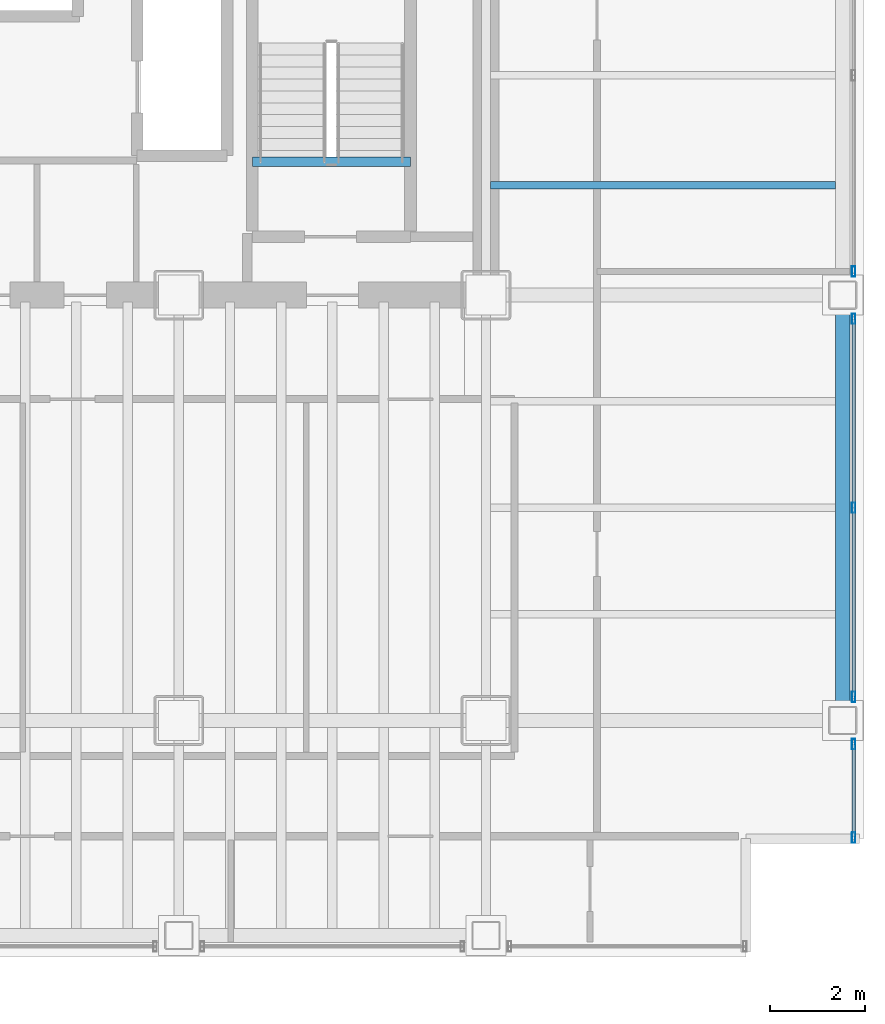
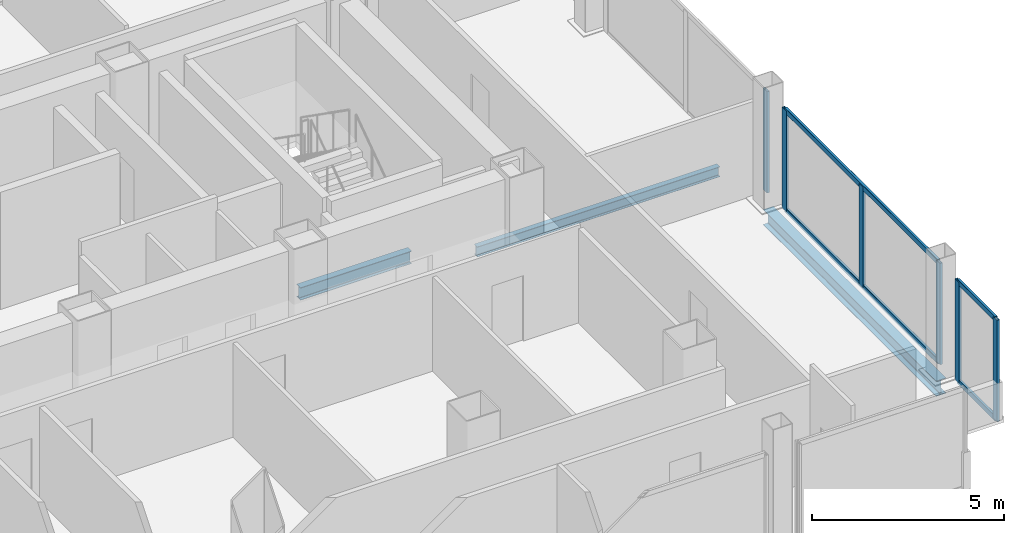
# One storey, part 11 of 21: 10 members, 3 beams, 3 elements without a shape of their own.
"""IFC4 building model written with IfcOpenShell, lengths in metres."""

from ifc_helpers import new_model, si_unit, direction, frame, origin, origin_2d, place, context, subcontext, project, spatial, hollow_rectangle, i_section, extrude, material, material_profile, profile_set, type_object, element, aggregate, save


model = new_model("IFC4")

# Units and contexts
model_context = context("Model", 3, precision=1e-05, world=origin(), true_north=direction((0.0, 1.0)))
body_context = subcontext(model_context, "Body", "Model", "MODEL_VIEW")
ifc_project = project(units=[si_unit("LENGTHUNIT", "METRE"), si_unit("AREAUNIT", "SQUARE_METRE"), si_unit("VOLUMEUNIT", "CUBIC_METRE"), si_unit("PLANEANGLEUNIT", "RADIAN"), si_unit("MASSUNIT", "GRAM", prefix="KILO")], contexts=[model_context])

# Site, building, storey
site_placement = place(None, origin())
site = spatial("IfcSite", under=ifc_project, at=site_placement, CompositionType="ELEMENT")
building_placement = place(site_placement, origin())
building = spatial("IfcBuilding", under=site, at=building_placement, Name="Noeulbin Bourse Tower", CompositionType="ELEMENT")
storey_placement = place(building_placement, frame((0.0, 0.0, 34.300048828125)))
storey = spatial("IfcBuildingStorey", under=building, at=storey_placement, Name="L08", CompositionType="ELEMENT", Elevation=34.300048828125)

# Beams
ifc_material_1 = material(Name="Steel S355", Category="steel")
ifc_material_profile_1 = material_profile(ifc_material_1, i_section(OverallWidth=0.159912109375, OverallDepth=0.320068359375, WebThickness=0.006591796875, FlangeThickness=0.010009765625, FilletRadius=0.012939453125, at=origin_2d()), Name="H-320x160x6.5x10", Category="LoadBearing")
ifc_profile_set_1 = profile_set([ifc_material_profile_1], Name="Steel S355")
beam_type_1 = type_object("IfcBeamType", Name="BM-JST-320", PredefinedType="JOIST", material=ifc_profile_set_1)
beam_1_placement = place(storey_placement, frame((44.10009765625, 31.324951171875, -0.340087890625), z_axis=(1.0, 0.0, 0.0), x_axis=(0.0, 1.0, 0.0)))
element("IfcBeam", 1, at=beam_1_placement, inside=storey, type_object=beam_type_1, Name="Wing Composite Joist L08-E78", PredefinedType="JOIST", context=body_context, shape_type="SweptSolid", body=[
    extrude(i_section(OverallWidth=0.159912109375, OverallDepth=0.320068359375, WebThickness=0.006591796875, FlangeThickness=0.010009765625, FilletRadius=0.012939453125, at=origin_2d()), origin(), (0.0, 0.0, 1.0), 7.2998046875),
])
ifc_material_profile_2 = material_profile(ifc_material_1, i_section(OverallWidth=0.199951171875, OverallDepth=0.39990234375, WebThickness=0.008056640625, FlangeThickness=0.012939453125, FilletRadius=0.01611328125, at=origin_2d()), Name="H-400x200x8x13", Category="LoadBearing")
ifc_profile_set_2 = profile_set([ifc_material_profile_2], Name="Steel S355")
beam_type_2 = type_object("IfcBeamType", Name="BM-SEC-400", PredefinedType="BEAM", material=ifc_profile_set_2)
beam_2_placement = place(storey_placement, frame((39.06005859375, 31.820068359375, -0.199951171875), z_axis=(1.0, 0.0, 0.0), x_axis=(0.0, 1.0, 0.0)))
element("IfcBeam", 2, at=beam_2_placement, inside=storey, type_object=beam_type_2, Name="Stair Threshold Trimmer Beam ST2-L08", PredefinedType="BEAM", context=body_context, shape_type="SweptSolid", body=[
    extrude(i_section(OverallWidth=0.199951171875, OverallDepth=0.39990234375, WebThickness=0.008056640625, FlangeThickness=0.012939453125, FilletRadius=0.01611328125, at=origin_2d()), origin(), (0.0, 0.0, 1.0), 3.33984375),
])
ifc_material_profile_3 = material_profile(ifc_material_1, i_section(OverallWidth=0.300048828125, OverallDepth=0.488037109375, WebThickness=0.010986328125, FlangeThickness=0.01806640625, FilletRadius=0.02197265625, at=origin_2d()), Name="H-488x300x11x18", Category="LoadBearing")
ifc_profile_set_3 = profile_set([ifc_material_profile_3], Name="Steel S355")
beam_type_3 = type_object("IfcBeamType", Name="BM-SPN-488", PredefinedType="SPANDREL", material=ifc_profile_set_3)
beam_3_placement = place(storey_placement, frame((51.550048828125, 20.0, -0.424072265625), z_axis=(0.0, 1.0, 0.0), x_axis=(-1.0, 0.0, 0.0)))
element("IfcBeam", 3, at=beam_3_placement, inside=storey, type_object=beam_type_3, Name="East Spandrel L08-1", PredefinedType="SPANDREL", context=body_context, shape_type="SweptSolid", body=[
    extrude(i_section(OverallWidth=0.300048828125, OverallDepth=0.488037109375, WebThickness=0.010986328125, FlangeThickness=0.01806640625, FilletRadius=0.02197265625, at=origin_2d()), origin(), (0.0, 0.0, 1.0), 9.0),
])

# Curtain wall, members
ifc_material_2 = material(Name="Dark Solar-Control Double Glazing", Category="glass")
curtain_wall_type = type_object("IfcCurtainWallType", Name="CW-SYS-2", PredefinedType="NOTDEFINED", material=ifc_material_2)
curtain_wall_1_placement = place(storey_placement, origin())
curtain_wall_1 = element("IfcCurtainWall", 4, at=curtain_wall_1_placement, inside=storey, type_object=curtain_wall_type, Name="Unitised Curtain Wall CW-L08-E-S1", PredefinedType="NOTDEFINED")
ifc_material_3 = material(Name="Anodised Aluminium 6063-T6", Category="aluminium")
ifc_material_profile_4 = material_profile(ifc_material_3, hollow_rectangle(XDim=0.074951171875, YDim=0.219970703125, WallThickness=0.0048828125, InnerFilletRadius=0.00244140625, OuterFilletRadius=0.0048828125, at=origin_2d()), Name="ALU-MULL-75x220x5", Category="LoadBearing")
ifc_profile_set_4 = profile_set([ifc_material_profile_4], Name="Anodised Aluminium 6063-T6")
member_type_1 = type_object("IfcMemberType", Name="CW-SYS-2-MUL", PredefinedType="MULLION", material=ifc_profile_set_4)
member_1_placement = place(storey_placement, frame((51.780029296875, 17.52001953125, -0.02001953125), z_axis=(0.0, 0.0, 1.0), x_axis=(1.0, 0.0, 0.0)))
member_1 = element("IfcMember", 5, at=member_1_placement, type_object=member_type_1, Name="Curtain Wall Mullion CW-L08-E-S1-M00", PredefinedType="MULLION", context=body_context, shape_type="SweptSolid", body=[
    extrude(hollow_rectangle(XDim=0.074951171875, YDim=0.219970703125, WallThickness=0.0048828125, InnerFilletRadius=0.00244140625, OuterFilletRadius=0.0048828125, at=origin_2d()), origin(), (0.0, 0.0, 1.0), 3.219970703125),
])
member_2_placement = place(storey_placement, frame((51.780029296875, 19.5, -0.02001953125), z_axis=(0.0, 0.0, 1.0), x_axis=(1.0, 0.0, 0.0)))
member_2 = element("IfcMember", 6, at=member_2_placement, type_object=member_type_1, Name="Curtain Wall Mullion CW-L08-E-S1-M01", PredefinedType="MULLION", context=body_context, shape_type="SweptSolid", body=[
    extrude(hollow_rectangle(XDim=0.074951171875, YDim=0.219970703125, WallThickness=0.0048828125, InnerFilletRadius=0.00244140625, OuterFilletRadius=0.0048828125, at=origin_2d()), origin(), (0.0, 0.0, 1.0), 3.219970703125),
])

curtain_wall_2_placement = place(storey_placement, origin())
curtain_wall_2 = element("IfcCurtainWall", 7, at=curtain_wall_2_placement, inside=storey, type_object=curtain_wall_type, Name="Unitised Curtain Wall CW-L08-E-S2", PredefinedType="NOTDEFINED")
member_3_placement = place(storey_placement, frame((51.780029296875, 20.5, -0.02001953125), z_axis=(0.0, 0.0, 1.0), x_axis=(1.0, 0.0, 0.0)))
member_3 = element("IfcMember", 8, at=member_3_placement, type_object=member_type_1, Name="Curtain Wall Mullion CW-L08-E-S2-M00", PredefinedType="MULLION", context=body_context, shape_type="SweptSolid", body=[
    extrude(hollow_rectangle(XDim=0.074951171875, YDim=0.219970703125, WallThickness=0.0048828125, InnerFilletRadius=0.00244140625, OuterFilletRadius=0.0048828125, at=origin_2d()), origin(), (0.0, 0.0, 1.0), 3.219970703125),
])
member_4_placement = place(storey_placement, frame((51.780029296875, 24.5, -0.02001953125), z_axis=(0.0, 0.0, 1.0), x_axis=(1.0, 0.0, 0.0)))
member_4 = element("IfcMember", 9, at=member_4_placement, type_object=member_type_1, Name="Curtain Wall Mullion CW-L08-E-S2-M01", PredefinedType="MULLION", context=body_context, shape_type="SweptSolid", body=[
    extrude(hollow_rectangle(XDim=0.074951171875, YDim=0.219970703125, WallThickness=0.0048828125, InnerFilletRadius=0.00244140625, OuterFilletRadius=0.0048828125, at=origin_2d()), origin(), (0.0, 0.0, 1.0), 3.219970703125),
])
member_5_placement = place(storey_placement, frame((51.780029296875, 28.5, -0.02001953125), z_axis=(0.0, 0.0, 1.0), x_axis=(1.0, 0.0, 0.0)))
member_5 = element("IfcMember", 10, at=member_5_placement, type_object=member_type_1, Name="Curtain Wall Mullion CW-L08-E-S2-M02", PredefinedType="MULLION", context=body_context, shape_type="SweptSolid", body=[
    extrude(hollow_rectangle(XDim=0.074951171875, YDim=0.219970703125, WallThickness=0.0048828125, InnerFilletRadius=0.00244140625, OuterFilletRadius=0.0048828125, at=origin_2d()), origin(), (0.0, 0.0, 1.0), 3.219970703125),
])

# Curtain wall, member
curtain_wall_3_placement = place(storey_placement, origin())
curtain_wall_3 = element("IfcCurtainWall", 11, at=curtain_wall_3_placement, inside=storey, type_object=curtain_wall_type, Name="Unitised Curtain Wall CW-L08-E-S3", PredefinedType="NOTDEFINED")
member_6_placement = place(storey_placement, frame((51.780029296875, 29.5, -0.02001953125), z_axis=(0.0, 0.0, 1.0), x_axis=(1.0, 0.0, 0.0)))
member_6 = element("IfcMember", 12, at=member_6_placement, type_object=member_type_1, Name="Curtain Wall Mullion CW-L08-E-S3-M00", PredefinedType="MULLION", context=body_context, shape_type="SweptSolid", body=[
    extrude(hollow_rectangle(XDim=0.074951171875, YDim=0.219970703125, WallThickness=0.0048828125, InnerFilletRadius=0.00244140625, OuterFilletRadius=0.0048828125, at=origin_2d()), origin(), (0.0, 0.0, 1.0), 3.219970703125),
])
aggregate(curtain_wall_3, [member_6])

# Member
ifc_material_profile_5 = material_profile(ifc_material_3, hollow_rectangle(XDim=0.074951171875, YDim=0.159912109375, WallThickness=0.0048828125, InnerFilletRadius=0.00244140625, OuterFilletRadius=0.0048828125, at=origin_2d()), Name="ALU-TRAN-75x160x5", Category="LoadBearing")
ifc_profile_set_5 = profile_set([ifc_material_profile_5], Name="Anodised Aluminium 6063-T6")
member_type_2 = type_object("IfcMemberType", Name="CW-SYS-2-TRN", PredefinedType="USERDEFINED", material=ifc_profile_set_5)
member_7_placement = place(storey_placement, frame((51.780029296875, 17.530029296875, 0.010009765625), z_axis=(0.0, 1.0, 0.0), x_axis=(-1.0, 0.0, 0.0)))
member_7 = element("IfcMember", 13, at=member_7_placement, type_object=member_type_2, Name="Curtain Wall Transom CW-L08-E-S1-T00", ObjectType="TRANSOM", PredefinedType="USERDEFINED", context=body_context, shape_type="SweptSolid", body=[
    extrude(hollow_rectangle(XDim=0.074951171875, YDim=0.159912109375, WallThickness=0.0048828125, InnerFilletRadius=0.00244140625, OuterFilletRadius=0.0048828125, at=origin_2d()), origin(), (0.0, 0.0, 1.0), 1.9599609375),
])

member_8_placement = place(storey_placement, frame((51.780029296875, 17.530029296875, 3.169921875), z_axis=(0.0, 1.0, 0.0), x_axis=(-1.0, 0.0, 0.0)))
member_8 = element("IfcMember", 14, at=member_8_placement, type_object=member_type_2, Name="Curtain Wall Transom CW-L08-E-S1-T01", ObjectType="TRANSOM", PredefinedType="USERDEFINED", context=body_context, shape_type="SweptSolid", body=[
    extrude(hollow_rectangle(XDim=0.074951171875, YDim=0.159912109375, WallThickness=0.0048828125, InnerFilletRadius=0.00244140625, OuterFilletRadius=0.0048828125, at=origin_2d()), origin(), (0.0, 0.0, 1.0), 1.9599609375),
])

aggregate(curtain_wall_1, [member_1, member_2, member_7, member_8])

member_9_placement = place(storey_placement, frame((51.780029296875, 20.510009765625, 0.010009765625), z_axis=(0.0, 1.0, 0.0), x_axis=(-1.0, 0.0, 0.0)))
member_9 = element("IfcMember", 15, at=member_9_placement, type_object=member_type_2, Name="Curtain Wall Transom CW-L08-E-S2-T00", ObjectType="TRANSOM", PredefinedType="USERDEFINED", context=body_context, shape_type="SweptSolid", body=[
    extrude(hollow_rectangle(XDim=0.074951171875, YDim=0.159912109375, WallThickness=0.0048828125, InnerFilletRadius=0.00244140625, OuterFilletRadius=0.0048828125, at=origin_2d()), origin(), (0.0, 0.0, 1.0), 7.97998046875),
])

member_10_placement = place(storey_placement, frame((51.780029296875, 20.510009765625, 3.169921875), z_axis=(0.0, 1.0, 0.0), x_axis=(-1.0, 0.0, 0.0)))
member_10 = element("IfcMember", 16, at=member_10_placement, type_object=member_type_2, Name="Curtain Wall Transom CW-L08-E-S2-T01", ObjectType="TRANSOM", PredefinedType="USERDEFINED", context=body_context, shape_type="SweptSolid", body=[
    extrude(hollow_rectangle(XDim=0.074951171875, YDim=0.159912109375, WallThickness=0.0048828125, InnerFilletRadius=0.00244140625, OuterFilletRadius=0.0048828125, at=origin_2d()), origin(), (0.0, 0.0, 1.0), 7.97998046875),
])

aggregate(curtain_wall_2, [member_3, member_4, member_5, member_9, member_10])

save(model, "model.ifc")
